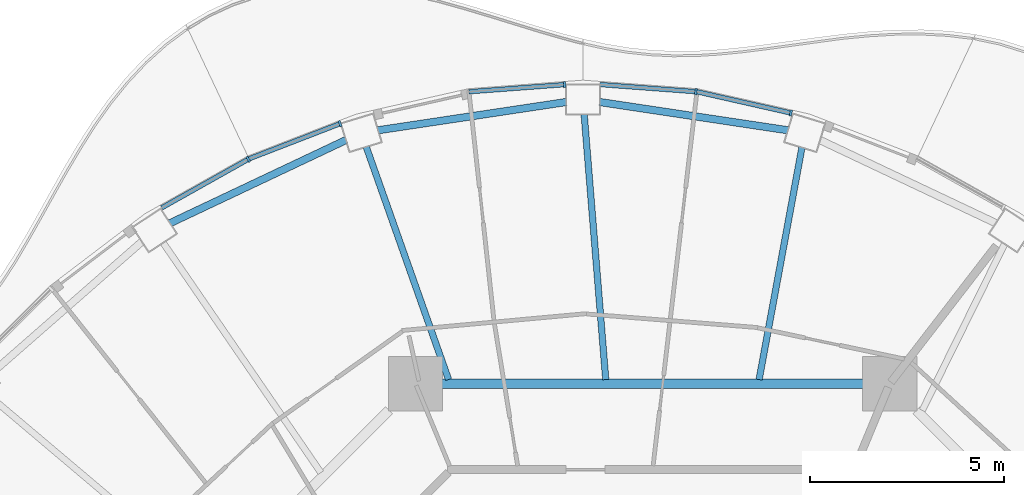
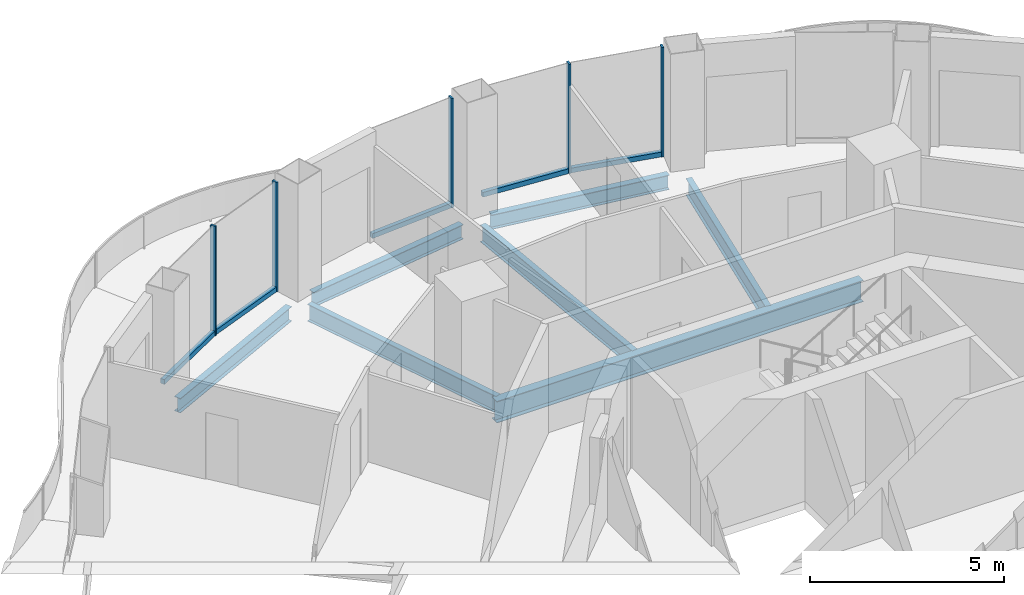
# One storey, part 6 of 17: 10 members, 7 beams, 5 elements without a shape of their own.
"""IFC4 building model written with IfcOpenShell, lengths in metres."""

from ifc_helpers import new_model, si_unit, direction, frame, origin, origin_2d, place, context, subcontext, project, spatial, rectangle, i_section, extrude, material, layer, layer_set, material_profile, profile_set, type_object, element, aggregate, save


model = new_model("IFC4")

# Units and contexts
model_context = context("Model", 3, precision=1e-05, world=origin(), true_north=direction((0.0, 1.0)))
body_context = subcontext(model_context, "Body", "Model", "MODEL_VIEW")
ifc_project = project(units=[si_unit("LENGTHUNIT", "METRE"), si_unit("AREAUNIT", "SQUARE_METRE"), si_unit("VOLUMEUNIT", "CUBIC_METRE"), si_unit("PLANEANGLEUNIT", "RADIAN"), si_unit("MASSUNIT", "GRAM", prefix="KILO")], contexts=[model_context])

# Site, building, storey
site_placement = place(None, origin())
site = spatial("IfcSite", under=ifc_project, at=site_placement, CompositionType="ELEMENT")
building_placement = place(site_placement, origin())
building = spatial("IfcBuilding", under=site, at=building_placement, Name="Nagisa Residences", CompositionType="ELEMENT")
storey_placement = place(building_placement, frame((0.0, 0.0, 262.199951171875)))
storey = spatial("IfcBuildingStorey", under=building, at=storey_placement, Name="L66", CompositionType="ELEMENT", Elevation=262.199951171875)

# Curtain wall, member
ifc_material_1 = material(Name="Concrete-coloured aluminium curtain wall system", Category="concrete")
ifc_layer = layer(ifc_material_1, 0.159912109375)
ifc_layer_set = layer_set([ifc_layer], Name="CW1 CURTAIN WALL")
curtain_wall_type = type_object("IfcCurtainWallType", Name="CW1 CURTAIN WALL", PredefinedType="NOTDEFINED", material=ifc_layer_set)
curtain_wall_1_placement = place(storey_placement, origin())
curtain_wall_1 = element("IfcCurtainWall", 1, at=curtain_wall_1_placement, inside=storey, type_object=curtain_wall_type, Name="cw:CW1:L66:10", PredefinedType="NOTDEFINED")
ifc_material_2 = material(Name="Concrete-coloured aluminium", Category="concrete")
ifc_material_profile_1 = material_profile(ifc_material_2, rectangle(XDim=0.159912109375, YDim=0.06005859375, at=origin_2d()), Name="CW1 MULLION 160x60")
ifc_profile_set_1 = profile_set([ifc_material_profile_1], Name="Concrete-coloured aluminium")
member_type_1 = type_object("IfcMemberType", Name="CW1 MULLION 160x60", PredefinedType="MULLION", material=ifc_profile_set_1)
member_1_placement = place(storey_placement, frame((3.568603515625, 21.773193359375, 0.0), z_axis=(0.0, 0.0, 1.0), x_axis=(-0.2207639201, -0.975327274089, 0.0)))
member_1 = element("IfcMember", 2, at=member_1_placement, type_object=member_type_1, Name="CW1 mullion", PredefinedType="MULLION", context=body_context, shape_type="SweptSolid", body=[
    extrude(rectangle(XDim=0.159912109375, YDim=0.06005859375, at=origin_2d()), origin(), (0.0, 0.0, 1.0), 3.43994140625),
])

curtain_wall_2_placement = place(storey_placement, origin())
curtain_wall_2 = element("IfcCurtainWall", 3, at=curtain_wall_2_placement, inside=storey, type_object=curtain_wall_type, Name="cw:CW1:L66:11", PredefinedType="NOTDEFINED")
member_2_placement = place(storey_placement, frame((1.11669921875, 22.324462890625, 0.0), z_axis=(0.0, 0.0, 1.0), x_axis=(-0.074377355493, -0.997230168512, 0.0)))
member_2 = element("IfcMember", 4, at=member_2_placement, type_object=member_type_1, Name="CW1 mullion", PredefinedType="MULLION", context=body_context, shape_type="SweptSolid", body=[
    extrude(rectangle(XDim=0.159912109375, YDim=0.06005859375, at=origin_2d()), origin(), (0.0, 0.0, 1.0), 3.43994140625),
])

curtain_wall_3_placement = place(storey_placement, origin())
curtain_wall_3 = element("IfcCurtainWall", 5, at=curtain_wall_3_placement, inside=storey, type_object=curtain_wall_type, Name="cw:CW1:L66:12", PredefinedType="NOTDEFINED")
member_3_placement = place(storey_placement, frame((-2.272705078125, 22.5068359375, 0.0), z_axis=(0.0, 0.0, 1.0), x_axis=(0.074377355493, -0.997230168512, 0.0)))
member_3 = element("IfcMember", 6, at=member_3_placement, type_object=member_type_1, Name="CW1 mullion", PredefinedType="MULLION", context=body_context, shape_type="SweptSolid", body=[
    extrude(rectangle(XDim=0.159912109375, YDim=0.06005859375, at=origin_2d()), origin(), (0.0, 0.0, 1.0), 3.43994140625),
])

curtain_wall_4_placement = place(storey_placement, origin())
curtain_wall_4 = element("IfcCurtainWall", 7, at=curtain_wall_4_placement, inside=storey, type_object=curtain_wall_type, Name="cw:CW1:L66:14", PredefinedType="NOTDEFINED")
member_4_placement = place(storey_placement, frame((-8.073486328125, 21.49755859375, 0.0), z_axis=(0.0, 0.0, 1.0), x_axis=(0.360327770268, -0.932825759707, 0.0)))
member_4 = element("IfcMember", 8, at=member_4_placement, type_object=member_type_1, Name="CW1 mullion", PredefinedType="MULLION", context=body_context, shape_type="SweptSolid", body=[
    extrude(rectangle(XDim=0.159912109375, YDim=0.06005859375, at=origin_2d()), origin(), (0.0, 0.0, 1.0), 3.43994140625),
])

curtain_wall_5_placement = place(storey_placement, origin())
curtain_wall_5 = element("IfcCurtainWall", 9, at=curtain_wall_5_placement, inside=storey, type_object=curtain_wall_type, Name="cw:CW1:L66:15", PredefinedType="NOTDEFINED")
member_5_placement = place(storey_placement, frame((-10.443359375, 20.57861328125, 0.0), z_axis=(0.0, 0.0, 1.0), x_axis=(0.489376918501, -0.872072377523, 0.0)))
member_5 = element("IfcMember", 10, at=member_5_placement, type_object=member_type_1, Name="CW1 mullion", PredefinedType="MULLION", context=body_context, shape_type="SweptSolid", body=[
    extrude(rectangle(XDim=0.159912109375, YDim=0.06005859375, at=origin_2d()), origin(), (0.0, 0.0, 1.0), 3.43994140625),
])

# Member
ifc_material_3 = material(Name="Concrete-coloured aluminium", Category="concrete")
ifc_material_profile_2 = material_profile(ifc_material_3, rectangle(XDim=0.1201171875, YDim=0.14990234375, at=origin_2d()), Name="CW1 TRANSOM 120x150")
ifc_profile_set_2 = profile_set([ifc_material_profile_2], Name="Concrete-coloured aluminium")
member_type_2 = type_object("IfcMemberType", Name="CW1 TRANSOM 120x150", PredefinedType="USERDEFINED", material=ifc_profile_set_2)
member_6_placement = place(storey_placement, frame((3.597900390625, 21.7666015625, 0.074951171875), z_axis=(-0.975340398222, 0.220705930136, 0.0), x_axis=(-0.220705930136, -0.975340398222, 0.0)))
member_6 = element("IfcMember", 11, at=member_6_placement, type_object=member_type_2, Name="CW1 transom", ObjectType="TRANSOM", PredefinedType="USERDEFINED", context=body_context, shape_type="SweptSolid", body=[
    extrude(rectangle(XDim=0.1201171875, YDim=0.14990234375, at=origin_2d()), origin(), (0.0, 0.0, 1.0), 2.525390625),
])

aggregate(curtain_wall_1, [member_1, member_6])

member_7_placement = place(storey_placement, frame((1.146484375, 22.322265625, 0.074951171875), z_axis=(-0.99722914645, 0.074391057731, 0.0), x_axis=(-0.074391057731, -0.99722914645, 0.0)))
member_7 = element("IfcMember", 12, at=member_7_placement, type_object=member_type_2, Name="CW1 transom", ObjectType="TRANSOM", PredefinedType="USERDEFINED", context=body_context, shape_type="SweptSolid", body=[
    extrude(rectangle(XDim=0.1201171875, YDim=0.14990234375, at=origin_2d()), origin(), (0.0, 0.0, 1.0), 2.510498046875),
])

aggregate(curtain_wall_2, [member_2, member_7])

member_8_placement = place(storey_placement, frame((-2.242919921875, 22.509033203125, 0.074951171875), z_axis=(-0.99722914645, -0.074391057731, 0.0), x_axis=(0.074391057731, -0.99722914645, 0.0)))
member_8 = element("IfcMember", 13, at=member_8_placement, type_object=member_type_2, Name="CW1 transom", ObjectType="TRANSOM", PredefinedType="USERDEFINED", context=body_context, shape_type="SweptSolid", body=[
    extrude(rectangle(XDim=0.1201171875, YDim=0.14990234375, at=origin_2d()), origin(), (0.0, 0.0, 1.0), 2.510498046875),
])

aggregate(curtain_wall_3, [member_3, member_8])

member_9_placement = place(storey_placement, frame((-8.04541015625, 21.508544921875, 0.074951171875), z_axis=(-0.93282223778, -0.360336887792, 0.0), x_axis=(0.360336887792, -0.93282223778, 0.0)))
member_9 = element("IfcMember", 14, at=member_9_placement, type_object=member_type_2, Name="CW1 transom", ObjectType="TRANSOM", PredefinedType="USERDEFINED", context=body_context, shape_type="SweptSolid", body=[
    extrude(rectangle(XDim=0.1201171875, YDim=0.14990234375, at=origin_2d()), origin(), (0.0, 0.0, 1.0), 2.5537109375),
])

aggregate(curtain_wall_4, [member_4, member_9])

member_10_placement = place(storey_placement, frame((-10.417236328125, 20.59326171875, 0.074951171875), z_axis=(-0.872052877201, -0.489411666561, 0.0), x_axis=(0.489411666561, -0.872052877201, 0.0)))
member_10 = element("IfcMember", 15, at=member_10_placement, type_object=member_type_2, Name="CW1 transom", ObjectType="TRANSOM", PredefinedType="USERDEFINED", context=body_context, shape_type="SweptSolid", body=[
    extrude(rectangle(XDim=0.1201171875, YDim=0.14990234375, at=origin_2d()), origin(), (0.0, 0.0, 1.0), 2.593017578125),
])

aggregate(curtain_wall_5, [member_5, member_10])

# Beams
ifc_material_4 = material(Name="Steel ASTM A572 Gr 50", Category="steel")
ifc_material_profile_3 = material_profile(ifc_material_4, i_section(OverallWidth=0.2529296875, OverallDepth=0.677978515625, WebThickness=0.01171875, FlangeThickness=0.016357421875, at=origin_2d()), Name="W690x125")
ifc_profile_set_3 = profile_set([ifc_material_profile_3], Name="Steel ASTM A572 Gr 50")
beam_type_1 = type_object("IfcBeamType", Name="Inner ring beam W690x125", PredefinedType="BEAM", material=ifc_profile_set_3)
beam_1_placement = place(storey_placement, frame((5.44287109375, 14.781982421875, -0.598876953125), z_axis=(-1.0, 0.0, 0.0), x_axis=(0.0, -1.0, 0.0)))
element("IfcBeam", 16, at=beam_1_placement, inside=storey, type_object=beam_type_1, Name="beam:L66:ib2", PredefinedType="BEAM", context=body_context, shape_type="SweptSolid", body=[
    extrude(i_section(OverallWidth=0.2529296875, OverallDepth=0.677978515625, WebThickness=0.01171875, FlangeThickness=0.016357421875, at=origin_2d()), origin(), (0.0, 0.0, 1.0), 10.8857421875),
])
ifc_material_5 = material(Name="Steel ASTM A572 Gr 50", Category="steel")
ifc_material_profile_4 = material_profile(ifc_material_5, i_section(OverallWidth=0.18994140625, OverallDepth=0.45703125, WebThickness=0.009033203125, FlangeThickness=0.014404296875, at=origin_2d()), Name="W460x74")
ifc_profile_set_4 = profile_set([ifc_material_profile_4], Name="Steel ASTM A572 Gr 50")
beam_type_2 = type_object("IfcBeamType", Name="Perimeter ring beam W460x74", PredefinedType="BEAM", material=ifc_profile_set_4)
beam_2_placement = place(storey_placement, frame((3.4951171875, 21.326904296875, -0.488525390625), z_axis=(-0.988907577601, 0.148532161377, 0.0), x_axis=(-0.148532161377, -0.988907577601, 0.0)))
element("IfcBeam", 17, at=beam_2_placement, inside=storey, type_object=beam_type_2, Name="beam:L66:pb06", PredefinedType="BEAM", context=body_context, shape_type="SweptSolid", body=[
    extrude(i_section(OverallWidth=0.18994140625, OverallDepth=0.45703125, WebThickness=0.009033203125, FlangeThickness=0.014404296875, at=origin_2d()), origin(), (0.0, 0.0, 1.0), 4.919677734375),
])
beam_3_placement = place(storey_placement, frame((-2.230224609375, 22.0576171875, -0.488525390625), z_axis=(-0.98890648267, -0.148539451101, 0.0), x_axis=(0.148539451101, -0.98890648267, 0.0)))
element("IfcBeam", 18, at=beam_3_placement, inside=storey, type_object=beam_type_2, Name="beam:L66:pb07", PredefinedType="BEAM", context=body_context, shape_type="SweptSolid", body=[
    extrude(i_section(OverallWidth=0.18994140625, OverallDepth=0.45703125, WebThickness=0.009033203125, FlangeThickness=0.014404296875, at=origin_2d()), origin(), (0.0, 0.0, 1.0), 4.91943359375),
])
beam_4_placement = place(storey_placement, frame((-7.918212890625, 21.076416015625, -0.488525390625), z_axis=(-0.904115893837, -0.427287316113, 0.0), x_axis=(0.427287316113, -0.904115893837, 0.0)))
element("IfcBeam", 19, at=beam_4_placement, inside=storey, type_object=beam_type_2, Name="beam:L66:pb08", PredefinedType="BEAM", context=body_context, shape_type="SweptSolid", body=[
    extrude(i_section(OverallWidth=0.18994140625, OverallDepth=0.45703125, WebThickness=0.009033203125, FlangeThickness=0.014404296875, at=origin_2d()), origin(), (0.0, 0.0, 1.0), 5.031494140625),
])
ifc_material_6 = material(Name="Steel ASTM A572 Gr 50", Category="steel")
ifc_material_profile_5 = material_profile(ifc_material_6, i_section(OverallWidth=0.166015625, OverallDepth=0.534912109375, WebThickness=0.01025390625, FlangeThickness=0.0166015625, at=origin_2d()), Name="W530x85")
ifc_profile_set_5 = profile_set([ifc_material_profile_5], Name="Steel ASTM A572 Gr 50")
beam_type_3 = type_object("IfcBeamType", Name="Radial beam W530x85", PredefinedType="BEAM", material=ifc_profile_set_5)
beam_5_placement = place(storey_placement, frame((3.855712890625, 20.885986328125, -0.52734375), z_axis=(-0.18155164865, -0.983381410681, 0.0), x_axis=(0.983381410681, -0.18155164865, 0.0)))
element("IfcBeam", 20, at=beam_5_placement, inside=storey, type_object=beam_type_3, Name="beam:L66:rb06", PredefinedType="BEAM", context=body_context, shape_type="SweptSolid", body=[
    extrude(i_section(OverallWidth=0.166015625, OverallDepth=0.534912109375, WebThickness=0.01025390625, FlangeThickness=0.0166015625, at=origin_2d()), origin(), (0.0, 0.0, 1.0), 6.098388671875),
])
beam_6_placement = place(storey_placement, frame((-1.76904296875, 21.7421875, -0.52734375), z_axis=(0.081094239996, -0.996706438346, 0.0), x_axis=(0.996706438346, 0.081094239996, 0.0)))
element("IfcBeam", 21, at=beam_6_placement, inside=storey, type_object=beam_type_3, Name="beam:L66:rb07", PredefinedType="BEAM", context=body_context, shape_type="SweptSolid", body=[
    extrude(i_section(OverallWidth=0.166015625, OverallDepth=0.534912109375, WebThickness=0.01025390625, FlangeThickness=0.0166015625, at=origin_2d()), origin(), (0.0, 0.0, 1.0), 6.876220703125),
])
beam_7_placement = place(storey_placement, frame((-7.398193359375, 20.903564453125, -0.52734375), z_axis=(0.333636730814, -0.942701719449, 0.0), x_axis=(0.942701719449, 0.333636730814, 0.0)))
element("IfcBeam", 22, at=beam_7_placement, inside=storey, type_object=beam_type_3, Name="beam:L66:rb08", PredefinedType="BEAM", context=body_context, shape_type="SweptSolid", body=[
    extrude(i_section(OverallWidth=0.166015625, OverallDepth=0.534912109375, WebThickness=0.01025390625, FlangeThickness=0.0166015625, at=origin_2d()), origin(), (0.0, 0.0, 1.0), 6.37939453125),
])

save(model, "model.ifc")
